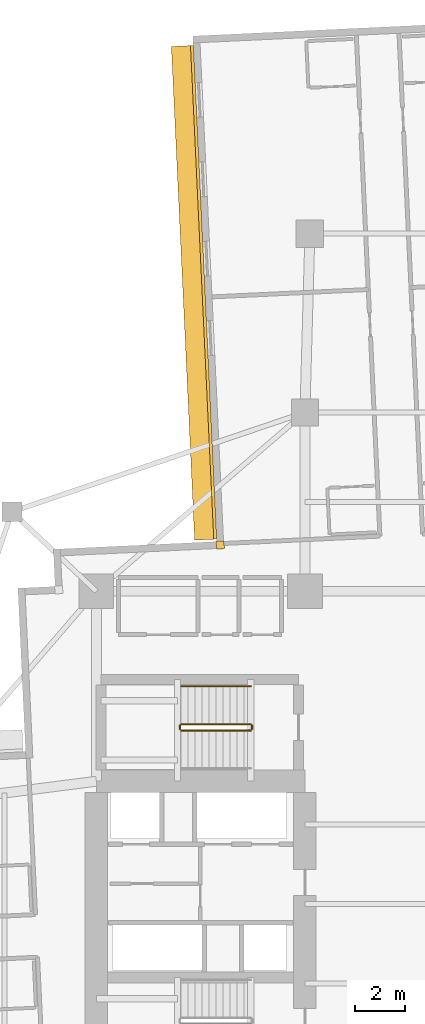
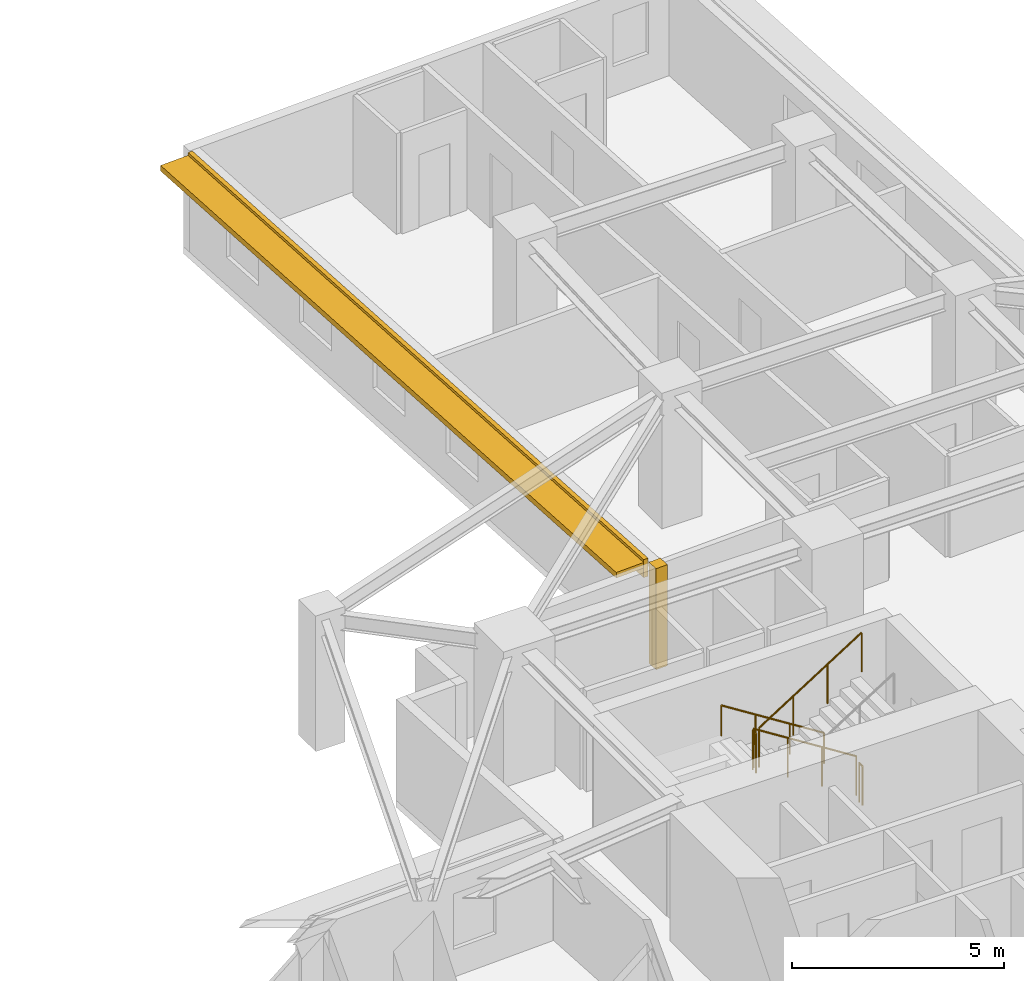
# One storey, part 13 of 14: 5 railings, 2 coverings, 1 shading device.
"""IFC4 building model written with IfcOpenShell, lengths in metres."""

from ifc_helpers import new_model, si_unit, direction, frame, origin, origin_2d, place, context, subcontext, project, spatial, rectangle, circle, extrude, material, layer, layer_set, type_object, element, save


model = new_model("IFC4")

# Units and contexts
model_context = context("Model", 3, precision=1e-05, world=origin(), true_north=direction((0.0, 1.0)))
body_context = subcontext(model_context, "Body", "Model", "MODEL_VIEW")
ifc_project = project(units=[si_unit("LENGTHUNIT", "METRE"), si_unit("AREAUNIT", "SQUARE_METRE"), si_unit("VOLUMEUNIT", "CUBIC_METRE"), si_unit("PLANEANGLEUNIT", "RADIAN"), si_unit("MASSUNIT", "GRAM", prefix="KILO")], contexts=[model_context])

# Site, building, storey
site_placement = place(None, origin())
site = spatial("IfcSite", under=ifc_project, at=site_placement, CompositionType="ELEMENT")
building_placement = place(site_placement, origin())
building = spatial("IfcBuilding", under=site, at=building_placement, Name="Qingluan Cross Belvedere", CompositionType="ELEMENT")
storey_placement = place(building_placement, frame((0.0, 0.0, 52.199951171875)))
storey = spatial("IfcBuildingStorey", under=building, at=storey_placement, Name="L13", CompositionType="ELEMENT", Elevation=52.199951171875)

# Coverings
ifc_material_1 = material(Name="Precast concrete C45", Category="concrete")
ifc_layer_1 = layer(ifc_material_1, 0.1201171875, Name="ConcreteSpandrelCladding_120")
ifc_layer_set_1 = layer_set([ifc_layer_1], Name="Precast concrete C45")
covering_type = type_object("IfcCoveringType", Name="ConcreteSpandrelCladding_120", PredefinedType="CLADDING", material=ifc_layer_set_1)
covering_1_placement = place(storey_placement, frame((-8.07958984375, 24.63671875, 2.449951171875), z_axis=(0.0, 0.0, 1.0), x_axis=(0.047104684445, -0.998889958255, 0.0)))
element("IfcCovering", 1, at=covering_1_placement, inside=storey, type_object=covering_type, Name="Spandrel cladding L13-NB", PredefinedType="CLADDING", context=body_context, shape_type="SweptSolid", body=[
    extrude(rectangle(XDim=19.89990234375, YDim=0.1201171875, at=origin_2d()), origin(), (0.0, 0.0, 1.0), 0.52001953125),
])
covering_2_placement = place(storey_placement, frame((-7.40966796875, 14.467041015625, 0.0), z_axis=(0.0, 0.0, 1.0), x_axis=(0.998889874962, 0.04710645071, 0.0)))
element("IfcCovering", 2, at=covering_2_placement, inside=storey, type_object=covering_type, Name="Corner closure L13-NW2", PredefinedType="CLADDING", context=body_context, shape_type="SweptSolid", body=[
    extrude(rectangle(XDim=0.320068359375, YDim=0.320068359375, at=origin_2d()), origin(), (0.0, 0.0, 1.0), 2.909912109375),
])

# Shading device
ifc_material_2 = material(Name="Precast concrete C45", Category="concrete")
ifc_layer_2 = layer(ifc_material_2, 0.159912109375, Name="ConcreteSunshadeBand_900")
ifc_layer_set_2 = layer_set([ifc_layer_2], Name="Precast concrete C45")
shading_device_type = type_object("IfcShadingDeviceType", Name="ConcreteSunshadeBand_900", PredefinedType="USERDEFINED", material=ifc_layer_set_2)
shading_device_placement = place(storey_placement, frame((-8.458984375, 24.618896484375, 2.72998046875), z_axis=(0.0, 0.0, 1.0), x_axis=(0.047104684445, -0.998889958255, 0.0)))
element("IfcShadingDevice", 3, at=shading_device_placement, inside=storey, type_object=shading_device_type, Name="Concrete SUNSHADE L13-NB", ObjectType="SUNSHADE", PredefinedType="USERDEFINED", context=body_context, shape_type="SweptSolid", body=[
    extrude(rectangle(XDim=19.89990234375, YDim=0.89990234375, at=origin_2d()), origin(), (0.0, 0.0, 1.0), 0.159912109375),
])

# Railings
ifc_material_3 = material(Name="Brushed stainless steel tubular handrail", Category="steel")
railing_type_1 = type_object("IfcRailingType", Name="StairPitchHandrail_900", PredefinedType="HANDRAIL", material=ifc_material_3)
railing_1_placement = place(storey_placement, frame((-6.179931640625, 8.77001953125, 0.17724609375)))
element("IfcRailing", 4, at=railing_1_placement, inside=storey, type_object=railing_type_1, Name="L13 ST3 stair handrail 1", PredefinedType="HANDRAIL", context=body_context, shape_type="SweptSolid", body=[
    extrude(circle(Radius=0.02392578125, at=origin_2d()), frame((0.0, 0.0, 0.8759765625), z_axis=(-0.844908973607, 0.0, 0.534910110503), x_axis=(0.0, -1.0, 0.0)), (0.0, 0.0, 1.0), 3.31396484375),
    extrude(circle(Radius=0.02099609375, at=origin_2d()), origin(), (0.0, 0.0, 1.0), 0.851806640625),
    extrude(circle(Radius=0.02099609375, at=origin_2d()), frame((-0.933349609375, 0.0, 0.5908203125)), (0.0, 0.0, 1.0), 0.851806640625),
    extrude(circle(Radius=0.02099609375, at=origin_2d()), frame((-1.86669921875, 0.0, 1.181884765625)), (0.0, 0.0, 1.0), 0.851806640625),
    extrude(circle(Radius=0.02099609375, at=origin_2d()), frame((-2.800048828125, 0.0, 1.772705078125)), (0.0, 0.0, 1.0), 0.851806640625),
])
ifc_material_4 = material(Name="Painted steel stair well guard", Category="steel")
railing_type_2 = type_object("IfcRailingType", Name="StairWellGuard_1150", PredefinedType="BALUSTRADE", material=ifc_material_4)
railing_2_placement = place(storey_placement, frame((-6.179931640625, 7.25, 0.17724609375)))
element("IfcRailing", 5, at=railing_2_placement, inside=storey, type_object=railing_type_2, Name="L13 ST3 stair guard 1", PredefinedType="BALUSTRADE", context=body_context, shape_type="SweptSolid", body=[
    extrude(circle(Radius=0.02392578125, at=origin_2d()), frame((0.0, 0.0, 1.1259765625), z_axis=(-0.844908973607, 0.0, 0.534910110503), x_axis=(0.0, -1.0, 0.0)), (0.0, 0.0, 1.0), 3.31396484375),
    extrude(circle(Radius=0.02099609375, at=origin_2d()), origin(), (0.0, 0.0, 1.0), 1.101806640625),
    extrude(circle(Radius=0.02099609375, at=origin_2d()), frame((-0.933349609375, 0.0, 0.5908203125)), (0.0, 0.0, 1.0), 1.101806640625),
    extrude(circle(Radius=0.02099609375, at=origin_2d()), frame((-1.86669921875, 0.0, 1.181884765625)), (0.0, 0.0, 1.0), 1.101806640625),
    extrude(circle(Radius=0.02099609375, at=origin_2d()), frame((-2.800048828125, 0.0, 1.772705078125)), (0.0, 0.0, 1.0), 1.101806640625),
])
railing_3_placement = place(storey_placement, frame((-9.030029296875, 7.199951171875, 1.949951171875)))
element("IfcRailing", 6, at=railing_3_placement, inside=storey, type_object=railing_type_2, Name="L13 ST3 stair guard 2", PredefinedType="BALUSTRADE", context=body_context, shape_type="SweptSolid", body=[
    extrude(circle(Radius=0.02392578125, at=origin_2d()), frame((0.0, 0.0, 1.1259765625), z_axis=(0.0, -1.0, 0.0), x_axis=(1.0, 0.0, 0.0)), (0.0, 0.0, 1.0), 0.159912109375),
    extrude(circle(Radius=0.02099609375, at=origin_2d()), origin(), (0.0, 0.0, 1.0), 1.101806640625),
    extrude(circle(Radius=0.02099609375, at=origin_2d()), frame((0.0, -0.159912109375, 0.0)), (0.0, 0.0, 1.0), 1.101806640625),
])
railing_4_placement = place(storey_placement, frame((-8.97998046875, 6.989990234375, 2.12744140625)))
element("IfcRailing", 7, at=railing_4_placement, inside=storey, type_object=railing_type_2, Name="L13 ST3 stair guard 3", PredefinedType="BALUSTRADE", context=body_context, shape_type="SweptSolid", body=[
    extrude(circle(Radius=0.02392578125, at=origin_2d()), frame((0.0, 0.0, 1.1259765625), z_axis=(0.844908973607, 0.0, 0.534910110503), x_axis=(0.0, 1.0, 0.0)), (0.0, 0.0, 1.0), 3.31396484375),
    extrude(circle(Radius=0.02099609375, at=origin_2d()), origin(), (0.0, 0.0, 1.0), 1.101806640625),
    extrude(circle(Radius=0.02099609375, at=origin_2d()), frame((0.933349609375, 0.0, 0.5908203125)), (0.0, 0.0, 1.0), 1.101806640625),
    extrude(circle(Radius=0.02099609375, at=origin_2d()), frame((1.86669921875, 0.0, 1.181884765625)), (0.0, 0.0, 1.0), 1.101806640625),
    extrude(circle(Radius=0.02099609375, at=origin_2d()), frame((2.800048828125, 0.0, 1.772705078125)), (0.0, 0.0, 1.0), 1.101806640625),
])
railing_5_placement = place(storey_placement, frame((-6.1298828125, 7.199951171875, 0.0)))
element("IfcRailing", 8, at=railing_5_placement, inside=storey, type_object=railing_type_2, Name="L13 ST3 stair guard 4", PredefinedType="BALUSTRADE", context=body_context, shape_type="SweptSolid", body=[
    extrude(circle(Radius=0.02392578125, at=origin_2d()), frame((0.0, 0.0, 1.1259765625), z_axis=(0.0, -1.0, 0.0), x_axis=(1.0, 0.0, 0.0)), (0.0, 0.0, 1.0), 0.159912109375),
    extrude(circle(Radius=0.02099609375, at=origin_2d()), origin(), (0.0, 0.0, 1.0), 1.101806640625),
    extrude(circle(Radius=0.02099609375, at=origin_2d()), frame((0.0, -0.159912109375, 0.0)), (0.0, 0.0, 1.0), 1.101806640625),
])

save(model, "model.ifc")
